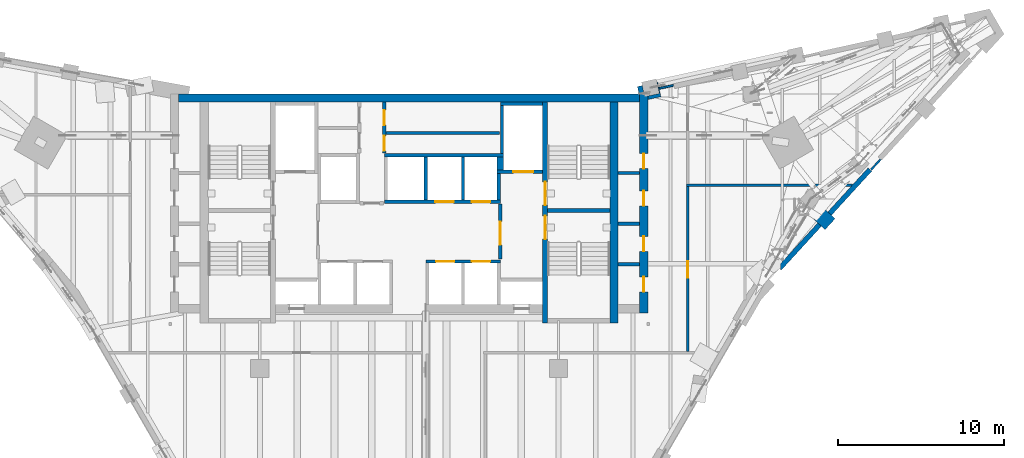
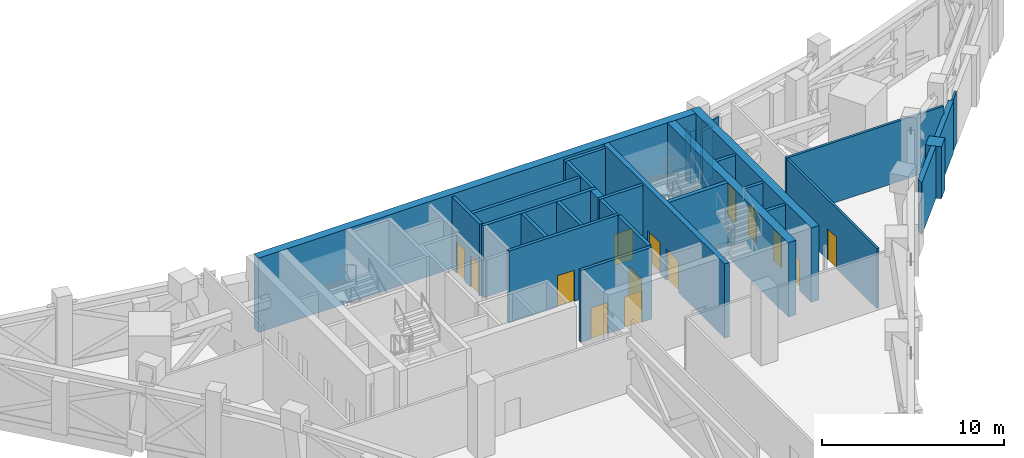
# One storey, part 12 of 23: 30 walls, 15 doors, 15 openings.
"""IFC4 building model written with IfcOpenShell, lengths in metres."""

import ifcopenshell
import ifcopenshell.guid

model = None  # the IFC model being written
_history = None  # IfcOwnerHistory: only IFC2X3 demands one
_inside = {}  # id of a spatial element -> (the spatial element, [elements in it])
_under = {}  # id of a project, library or spatial element -> (it, [spatial elements below it])
_declared = {}  # id of a project -> (the project, [libraries it declares])
_typed = {}  # id of a type object -> (the type object, [elements of that type])
_made_of = {}  # id of a material, layer set ... -> (it, [elements and type objects made of it])


def new_model(schema):
    """Start an empty IFC model of exactly this schema.

    Asked for "IFC4X3", IfcOpenShell would pick the latest addendum, in which some entities
    have other attributes; the version numbers below select the first issue.
    IFC2X3 requires an IfcOwnerHistory on every rooted entity: one is made here for all.
    """
    global model, _history
    if schema == "IFC4X3":
        model = ifcopenshell.file(schema_version=(4, 3, 0, 0))
    else:
        model = ifcopenshell.file(schema=schema)
    _inside.clear()
    _under.clear()
    _declared.clear()
    _typed.clear()
    _made_of.clear()
    _history = None
    if model.schema == "IFC2X3":
        org = make("IfcOrganization", Name="unknown")
        user = make(
            "IfcPersonAndOrganization",
            ThePerson=make("IfcPerson", FamilyName="unknown"),
            TheOrganization=org,
        )
        app = make(
            "IfcApplication",
            ApplicationDeveloper=org,
            Version="unknown",
            ApplicationFullName="unknown",
            ApplicationIdentifier="unknown",
        )
        _history = make(
            "IfcOwnerHistory",
            OwningUser=user,
            OwningApplication=app,
            ChangeAction="ADDED",
            CreationDate=0,
        )
    return model


def make(cls, **values):
    """One entity of the class cls with the attributes given. An attribute that is None is left unset."""
    return model.create_entity(
        cls, **{name: value for name, value in values.items() if value is not None}
    )


def rooted(cls, **values):
    """An entity with a GlobalId (a new one), such as an element, a storey or a relation."""
    return make(cls, GlobalId=ifcopenshell.guid.new(), OwnerHistory=_history, **values)


def si_unit(unit_type, name, prefix=None):
    """IfcSIUnit, for example si_unit("LENGTHUNIT", "METRE", prefix="MILLI")."""
    return make("IfcSIUnit", UnitType=unit_type, Prefix=prefix, Name=name)


def assignment(units):
    """IfcUnitAssignment: the units of a project."""
    return None if units is None else make("IfcUnitAssignment", Units=units)


def point(xyz):
    """IfcCartesianPoint."""
    return None if xyz is None else make("IfcCartesianPoint", Coordinates=xyz)


def direction(xyz):
    """IfcDirection."""
    return None if xyz is None else make("IfcDirection", DirectionRatios=xyz)


def frame(location, z_axis=None, x_axis=None):
    """IfcAxis2Placement3D, a coordinate frame: its origin and axes. An axis left out is left unset."""
    return make(
        "IfcAxis2Placement3D",
        Location=point(location),
        Axis=direction(z_axis),
        RefDirection=direction(x_axis),
    )


def frame_2d(location, x_axis=None):
    """IfcAxis2Placement2D, a coordinate frame in the plane: its origin and x axis."""
    return make(
        "IfcAxis2Placement2D", Location=point(location), RefDirection=direction(x_axis)
    )


def origin():
    """The frame at (0, 0, 0) with its axes left unset."""
    return frame((0.0, 0.0, 0.0))


def place(relative_to, where):
    """IfcLocalPlacement: puts the frame where relative to a parent placement (None: the world)."""
    return make(
        "IfcLocalPlacement", PlacementRelTo=relative_to, RelativePlacement=where
    )


def context(
    kind, dimensions, precision=None, world=None, true_north=None, identifier=None
):
    """IfcGeometricRepresentationContext, for example the 3D "Model" context."""
    return make(
        "IfcGeometricRepresentationContext",
        ContextIdentifier=identifier,
        ContextType=kind,
        CoordinateSpaceDimension=dimensions,
        Precision=precision,
        WorldCoordinateSystem=world,
        TrueNorth=true_north,
    )


def subcontext(parent, identifier, kind, view, scale=None):
    """IfcGeometricRepresentationSubContext, for example "Body" below "Model"."""
    return make(
        "IfcGeometricRepresentationSubContext",
        ContextIdentifier=identifier,
        ContextType=kind,
        ParentContext=parent,
        TargetScale=scale,
        TargetView=view,
    )


def project(units=None, contexts=None):
    """IfcProject with its units and contexts."""
    return rooted(
        "IfcProject",
        Name="project",
        RepresentationContexts=contexts,
        UnitsInContext=assignment(units),
    )


def spatial(cls, under=None, at=None, **own):
    """A site, building, storey or space (cls), placed at a placement, below another one or the project."""
    s = rooted(cls, ObjectPlacement=at, **own)
    if under is not None:
        _under.setdefault(under.id(), (under, []))[1].append(s)
    return s


def polyline(points):
    """IfcPolyline through the points."""
    return make("IfcPolyline", Points=[point(p) for p in points])


def profile(cls, at=None, kind="AREA", **sizes):
    """A parametric profile (cls). Its sizes go by their IFC names, for example OverallWidth=200.0."""
    return make(cls, ProfileType=kind, Position=at, **sizes)


def rectangle(**sizes):
    """IfcRectangleProfileDef."""
    return profile("IfcRectangleProfileDef", **sizes)


def outline(outer, holes=None, kind="AREA"):
    """IfcArbitraryClosedProfileDef: a profile drawn as a closed curve; with holes, ...WithVoids."""
    if holes is None:
        return make("IfcArbitraryClosedProfileDef", ProfileType=kind, OuterCurve=outer)
    return make(
        "IfcArbitraryProfileDefWithVoids",
        ProfileType=kind,
        OuterCurve=outer,
        InnerCurves=holes,
    )


def extrude(swept, where, along, depth):
    """IfcExtrudedAreaSolid: the profile swept, set in the frame where, extruded along a direction by depth."""
    return make(
        "IfcExtrudedAreaSolid",
        SweptArea=swept,
        Position=where,
        ExtrudedDirection=direction(along),
        Depth=depth,
    )


def shape(context_of_items, identifier, shape_type, items):
    """IfcShapeRepresentation: the items that make up one representation, for example the "Body"."""
    return make(
        "IfcShapeRepresentation",
        ContextOfItems=context_of_items,
        RepresentationIdentifier=identifier,
        RepresentationType=shape_type,
        Items=items,
    )


def material(Name=None, Category=None):
    """IfcMaterial."""
    return make("IfcMaterial", Name=Name, Category=Category)


def layer(
    of_material, thickness, ventilated=None, Name=None, Category=None, Priority=None
):
    """IfcMaterialLayer: one layer of a wall or slab, of a material (None: an air gap)."""
    return make(
        "IfcMaterialLayer",
        Material=of_material,
        LayerThickness=thickness,
        IsVentilated=ventilated,
        Name=Name,
        Category=Category,
        Priority=Priority,
    )


def layer_set(layers, Name=None):
    """IfcMaterialLayerSet."""
    return make("IfcMaterialLayerSet", MaterialLayers=layers, LayerSetName=Name)


def made_of(thing, what):
    """Note that an element or type object is made of a material, layer set ...; save() writes the relation."""
    if what is not None:
        _made_of.setdefault(what.id(), (what, []))[1].append(thing)
    return thing


def type_object(cls, material=None, **own):
    """A type object (cls), such as IfcWallType, which elements share."""
    return made_of(rooted(cls, **own), material)


def element(
    cls,
    number,
    at=None,
    inside=None,
    cuts=None,
    type_object=None,
    material=None,
    context=None,
    identifier="Body",
    shape_type=None,
    held_by="IfcProductDefinitionShape",
    body=None,
    shapes=None,
    **own,
):
    """One element of the class cls, such as IfcWall. Its Tag is "e" and its number.

    at: its placement. inside: the storey or other place that contains it. cuts: it is an
    opening in that element (IfcRelVoidsElement). A single representation is given by context,
    identifier, shape_type and body (its items); several are given by shapes. held_by: the class
    of the entity that holds the representations. save() writes the other relations.
    """
    e = rooted(cls, Tag="e%d" % number, ObjectPlacement=at, **own)
    if body is not None:
        shapes = [shape(context, identifier, shape_type, body)]
    if shapes is not None:
        e.Representation = make(held_by, Representations=shapes)
    if inside is not None:
        _inside.setdefault(inside.id(), (inside, []))[1].append(e)
    if cuts is not None:
        rooted(
            "IfcRelVoidsElement", RelatingBuildingElement=cuts, RelatedOpeningElement=e
        )
    if type_object is not None:
        _typed.setdefault(type_object.id(), (type_object, []))[1].append(e)
    return made_of(e, material)


def fill(opening, filler):
    """IfcRelFillsElement: the door or window that sits in an opening."""
    return rooted(
        "IfcRelFillsElement",
        RelatingOpeningElement=opening,
        RelatedBuildingElement=filler,
    )


def aggregate(whole, parts):
    """IfcRelAggregates: a whole, such as a stair, and the parts it consists of."""
    return rooted("IfcRelAggregates", RelatingObject=whole, RelatedObjects=parts)


def save(model, path):
    """Write the relations noted so far, then the file.

    IfcRelAggregates (storeys below a building ...), IfcRelContainedInSpatialStructure (elements
    in a storey), IfcRelDefinesByType, IfcRelAssociatesMaterial and IfcRelDeclares: one each for
    every whole, place, type object, material and project.
    """
    for whole, parts in _under.values():
        aggregate(whole, parts)
    for where, things in _inside.values():
        rooted(
            "IfcRelContainedInSpatialStructure",
            RelatedElements=things,
            RelatingStructure=where,
        )
    for kind, things in _typed.values():
        rooted("IfcRelDefinesByType", RelatedObjects=things, RelatingType=kind)
    for what, things in _made_of.values():
        rooted("IfcRelAssociatesMaterial", RelatedObjects=things, RelatingMaterial=what)
    for by, libraries in _declared.values():
        rooted("IfcRelDeclares", RelatingContext=by, RelatedDefinitions=libraries)
    model.write(path)


model = new_model("IFC4")

# Units and contexts
model_context = context("Model", 3, precision=1e-05, world=origin(), true_north=direction((0.0, 1.0)))
body_context = subcontext(model_context, "Body", "Model", "MODEL_VIEW")
ifc_project = project(units=[si_unit("LENGTHUNIT", "METRE"), si_unit("AREAUNIT", "SQUARE_METRE"), si_unit("VOLUMEUNIT", "CUBIC_METRE"), si_unit("PLANEANGLEUNIT", "RADIAN"), si_unit("MASSUNIT", "GRAM", prefix="KILO")], contexts=[model_context])

# Site, building, storey
site_placement = place(None, origin())
site = spatial("IfcSite", under=ifc_project, at=site_placement, CompositionType="ELEMENT")
building_placement = place(site_placement, origin())
building = spatial("IfcBuilding", under=site, at=building_placement, Name="Calabash Gate Tower", CompositionType="ELEMENT")
storey_placement = place(building_placement, frame((0.0, 0.0, 243.199951171875)))
storey = spatial("IfcBuildingStorey", under=building, at=storey_placement, Name="L58", CompositionType="ELEMENT", Elevation=243.199951171875)

# Walls
ifc_material_1 = material(Name="Terracotta brick masonry, exposed face", Category="masonry")
ifc_layer_1 = layer(ifc_material_1, 0.89990234375)
ifc_layer_set_1 = layer_set([ifc_layer_1], Name="Brick end wall 900")
wall_type_1 = type_object("IfcWallType", Name="Brick end wall 900", PredefinedType="SOLIDWALL", material=ifc_layer_set_1)
wall_1_placement = place(storey_placement, frame((24.740478515625, 11.17333984375, 0.0), z_axis=(0.0, 0.0, 1.0), x_axis=(0.674802966049, 0.737997938352, 0.0)))
element("IfcWall", 1, at=wall_1_placement, inside=storey, type_object=wall_type_1, Name="Brick pier L58 wedge3.1", PredefinedType="SOLIDWALL", context=body_context, shape_type="SweptSolid", body=[
    extrude(rectangle(XDim=0.900146484375, YDim=0.89990234375, at=frame_2d((0.4501953125, 0.0))), origin(), (0.0, 0.0, 1.0), 3.5),
])
wall_2_placement = place(storey_placement, origin())
element("IfcWall", 2, at=wall_2_placement, inside=storey, type_object=wall_type_1, Name="Brick end wall L58 4a", PredefinedType="SOLIDWALL", context=body_context, shape_type="SweptSolid", body=[
    extrude(outline(polyline([(14.39990234375, 18.711181640625), (15.178466796875, 18.883056640625), (14.984619140625, 19.761962890625), (14.931640625, 19.750244140625), (15.080322265625, 19.076416015625), (14.39990234375, 18.926513671875), (14.39990234375, 18.711181640625)])), origin(), (0.0, 0.0, 1.0), 3.5),
])
wall_3_placement = place(storey_placement, origin())
element("IfcWall", 3, at=wall_3_placement, inside=storey, type_object=wall_type_1, Name="Brick end wall L58 4b", PredefinedType="SOLIDWALL", context=body_context, shape_type="SweptSolid", body=[
    extrude(outline(polyline([(13.761474609375, 19.491943359375), (13.8583984375, 19.052490234375), (14.1640625, 19.052490234375), (14.052978515625, 19.556396484375), (13.761474609375, 19.491943359375)])), origin(), (0.0, 0.0, 1.0), 3.5),
])
ifc_material_2 = material(Name="Concrete C70/85", Category="concrete")
ifc_layer_2 = layer(ifc_material_2, 0.25)
ifc_layer_set_2 = layer_set([ifc_layer_2], Name="Core wall 250 Concrete C70/85")
wall_type_2 = type_object("IfcWallType", Name="Core wall 250 Concrete C70/85", PredefinedType="SHEAR", material=ifc_layer_set_2)
wall_4_placement = place(storey_placement, frame((8.35009765625, 12.027587890625, 0.0), z_axis=(0.0, 0.0, 1.0), x_axis=(1.0, 0.0, 0.0)))
element("IfcWall", 4, at=wall_4_placement, inside=storey, type_object=wall_type_2, Name="Core wall Z4-MIDE L58", PredefinedType="SHEAR", context=body_context, shape_type="SweptSolid", body=[
    extrude(rectangle(XDim=3.75, YDim=0.25, at=frame_2d((1.875, 0.0))), origin(), (0.0, 0.0, 1.0), 5.0),
])

# Wall, openings, doors
ifc_material_3 = material(Name="Concrete C70/85", Category="concrete")
ifc_layer_3 = layer(ifc_material_3, 0.300048828125)
ifc_layer_set_3 = layer_set([ifc_layer_3], Name="Core wall 300 Concrete C70/85")
wall_type_3 = type_object("IfcWallType", Name="Core wall 300 Concrete C70/85", PredefinedType="SHEAR", material=ifc_layer_set_3)
wall_5_placement = place(storey_placement, frame((8.199951171875, 5.252685546875, 0.0), z_axis=(0.0, 0.0, 1.0), x_axis=(0.0, 1.0, 0.0)))
wall_5 = element("IfcWall", 5, at=wall_5_placement, inside=storey, type_object=wall_type_3, Name="Core wall Z4-PARTE L58", PredefinedType="SHEAR", context=body_context, shape_type="SweptSolid", body=[
    extrude(rectangle(XDim=13.2998046875, YDim=0.300048828125, at=frame_2d((6.64990234375, 0.0))), origin(), (0.0, 0.0, 1.0), 5.0),
])
opening_1_placement = place(wall_5_placement, frame((7.10009765625, 0.0, 0.0)))
opening_1 = element("IfcOpeningElement", 6, at=opening_1_placement, cuts=wall_5, Name="Opening L58-003", PredefinedType="OPENING", context=body_context, shape_type="SweptSolid", body=[
    extrude(rectangle(XDim=1.39990234375, YDim=2.10009765625, at=frame_2d((0.699951171875, 1.050048828125))), frame((0.0, 0.159912109375, 0.0), z_axis=(0.0, -1.0, 0.0), x_axis=(1.0, 0.0, 0.0)), (0.0, 0.0, 1.0), 0.320068359375),
])
opening_2_placement = place(wall_5_placement, frame((5.050048828125, 0.0, 0.0)))
opening_2 = element("IfcOpeningElement", 7, at=opening_2_placement, cuts=wall_5, Name="Opening L58-004", PredefinedType="OPENING", context=body_context, shape_type="SweptSolid", body=[
    extrude(rectangle(XDim=1.39990234375, YDim=2.10009765625, at=frame_2d((0.699951171875, 1.050048828125))), frame((0.0, 0.159912109375, 0.0), z_axis=(0.0, -1.0, 0.0), x_axis=(1.0, 0.0, 0.0)), (0.0, 0.0, 1.0), 0.320068359375),
])
ifc_material_4 = material(Name="Steel fire door set with fire-resisting glazing", Category="steel")
door_type_1 = type_object("IfcDoorType", Name="Fire door D05 1400x2100 FD90", OperationType="NOTDEFINED", PredefinedType="DOOR", material=ifc_material_4)
door_1_placement = place(opening_1_placement, origin())
door_1 = element("IfcDoor", 8, at=door_1_placement, inside=storey, type_object=door_type_1, Name="Exit stair door ST3", OperationType="SINGLE_SWING_RIGHT", OverallHeight=2.10009765625, OverallWidth=1.39990234375, PredefinedType="DOOR", context=body_context, shape_type="SweptSolid", body=[
    extrude(rectangle(XDim=1.39990234375, YDim=2.10009765625, at=frame_2d((0.699951171875, 1.050048828125))), frame((0.0, 0.02490234375, 0.0), z_axis=(0.0, -1.0, 0.0), x_axis=(1.0, 0.0, 0.0)), (0.0, 0.0, 1.0), 0.050048828125),
])
fill(opening_1, door_1)
door_2_placement = place(opening_2_placement, origin())
door_2 = element("IfcDoor", 9, at=door_2_placement, inside=storey, type_object=door_type_1, Name="Exit stair door ST4", OperationType="SINGLE_SWING_LEFT", OverallHeight=2.10009765625, OverallWidth=1.39990234375, PredefinedType="DOOR", context=body_context, shape_type="SweptSolid", body=[
    extrude(rectangle(XDim=1.39990234375, YDim=2.10009765625, at=frame_2d((0.699951171875, 1.050048828125))), frame((0.0, 0.02490234375, 0.0), z_axis=(0.0, -1.0, 0.0), x_axis=(1.0, 0.0, 0.0)), (0.0, 0.0, 1.0), 0.050048828125),
])
fill(opening_2, door_2)

# Walls
ifc_material_5 = material(Name="Concrete C70/85", Category="concrete")
ifc_layer_4 = layer(ifc_material_5, 0.5)
ifc_layer_set_4 = layer_set([ifc_layer_4], Name="Core wall 500 Concrete C70/85")
wall_type_4 = type_object("IfcWallType", Name="Core wall 500 Concrete C70/85", PredefinedType="SHEAR", material=ifc_layer_set_4)
wall_6_placement = place(storey_placement, frame((-13.89990234375, 18.802490234375, 0.0), z_axis=(0.0, 0.0, 1.0), x_axis=(1.0, 0.0, 0.0)))
element("IfcWall", 10, at=wall_6_placement, inside=storey, type_object=wall_type_4, Name="Core wall Z4-N L58", PredefinedType="SHEAR", context=body_context, shape_type="SweptSolid", body=[
    extrude(rectangle(XDim=27.7998046875, YDim=0.5, at=frame_2d((13.89990234375, 0.0))), origin(), (0.0, 0.0, 1.0), 5.0),
])
wall_7_placement = place(storey_placement, frame((12.35009765625, 5.252685546875, 0.0), z_axis=(0.0, 0.0, 1.0), x_axis=(0.0, 1.0, 0.0)))
element("IfcWall", 11, at=wall_7_placement, inside=storey, type_object=wall_type_4, Name="Core wall Z4-COLE L58", PredefinedType="SHEAR", context=body_context, shape_type="SweptSolid", body=[
    extrude(rectangle(XDim=13.2998046875, YDim=0.5, at=frame_2d((6.64990234375, 0.0))), origin(), (0.0, 0.0, 1.0), 5.0),
])

# Wall, openings, doors
wall_8_placement = place(storey_placement, frame((14.14990234375, 5.8525390625, 0.0), z_axis=(0.0, 0.0, 1.0), x_axis=(0.0, 1.0, 0.0)))
wall_8 = element("IfcWall", 12, at=wall_8_placement, inside=storey, type_object=wall_type_4, Name="Core wall Z4-ENDE L58", PredefinedType="SHEAR", context=body_context, shape_type="SweptSolid", body=[
    extrude(rectangle(XDim=13.199951171875, YDim=0.5, at=frame_2d((6.60009765625, 0.0))), origin(), (0.0, 0.0, 1.0), 5.0),
])
opening_3_placement = place(wall_8_placement, frame((1.27001953125, 0.0, 0.0)))
opening_3 = element("IfcOpeningElement", 13, at=opening_3_placement, cuts=wall_8, Name="Opening L58-018", PredefinedType="OPENING", context=body_context, shape_type="SweptSolid", body=[
    extrude(rectangle(XDim=0.89990234375, YDim=2.10009765625, at=frame_2d((0.449951171875, 1.050048828125))), frame((0.0, 0.260009765625, 0.0), z_axis=(0.0, -1.0, 0.0), x_axis=(1.0, 0.0, 0.0)), (0.0, 0.0, 1.0), 0.52001953125),
])
opening_4_placement = place(wall_8_placement, frame((3.7099609375, 0.0, 0.0)))
opening_4 = element("IfcOpeningElement", 14, at=opening_4_placement, cuts=wall_8, Name="Opening L58-019", PredefinedType="OPENING", context=body_context, shape_type="SweptSolid", body=[
    extrude(rectangle(XDim=0.89990234375, YDim=2.10009765625, at=frame_2d((0.449951171875, 1.050048828125))), frame((0.0, 0.260009765625, 0.0), z_axis=(0.0, -1.0, 0.0), x_axis=(1.0, 0.0, 0.0)), (0.0, 0.0, 1.0), 0.52001953125),
])
opening_5_placement = place(wall_8_placement, frame((6.455078125, 0.0, 0.0)))
opening_5 = element("IfcOpeningElement", 15, at=opening_5_placement, cuts=wall_8, Name="Opening L58-020", PredefinedType="OPENING", context=body_context, shape_type="SweptSolid", body=[
    extrude(rectangle(XDim=0.89990234375, YDim=2.10009765625, at=frame_2d((0.449951171875, 1.050048828125))), frame((0.0, 0.260009765625, 0.0), z_axis=(0.0, -1.0, 0.0), x_axis=(1.0, 0.0, 0.0)), (0.0, 0.0, 1.0), 0.52001953125),
])
opening_6_placement = place(wall_8_placement, frame((8.697509765625, 0.0, 0.0)))
opening_6 = element("IfcOpeningElement", 16, at=opening_6_placement, cuts=wall_8, Name="Opening L58-021", PredefinedType="OPENING", context=body_context, shape_type="SweptSolid", body=[
    extrude(rectangle(XDim=0.89990234375, YDim=2.10009765625, at=frame_2d((0.449951171875, 1.050048828125))), frame((0.0, 0.260009765625, 0.0), z_axis=(0.0, -1.0, 0.0), x_axis=(1.0, 0.0, 0.0)), (0.0, 0.0, 1.0), 0.52001953125),
])
ifc_material_6 = material(Name="Steel fire door set with fire-resisting glazing", Category="steel")
door_type_2 = type_object("IfcDoorType", Name="Fire door D06 900x2100 FD60", OperationType="NOTDEFINED", PredefinedType="DOOR", material=ifc_material_6)
door_3_placement = place(opening_3_placement, origin())
door_3 = element("IfcDoor", 17, at=door_3_placement, inside=storey, type_object=door_type_2, Name="Electrical Riser door", OperationType="SINGLE_SWING_LEFT", OverallHeight=2.10009765625, OverallWidth=0.89990234375, PredefinedType="DOOR", context=body_context, shape_type="SweptSolid", body=[
    extrude(rectangle(XDim=0.89990234375, YDim=2.10009765625, at=frame_2d((0.449951171875, 1.050048828125))), frame((0.0, 0.02490234375, 0.0), z_axis=(0.0, -1.0, 0.0), x_axis=(1.0, 0.0, 0.0)), (0.0, 0.0, 1.0), 0.050048828125),
])
fill(opening_3, door_3)
door_4_placement = place(opening_4_placement, origin())
door_4 = element("IfcDoor", 18, at=door_4_placement, inside=storey, type_object=door_type_2, Name="Comms Riser door", OperationType="SINGLE_SWING_RIGHT", OverallHeight=2.10009765625, OverallWidth=0.89990234375, PredefinedType="DOOR", context=body_context, shape_type="SweptSolid", body=[
    extrude(rectangle(XDim=0.89990234375, YDim=2.10009765625, at=frame_2d((0.449951171875, 1.050048828125))), frame((0.0, 0.02490234375, 0.0), z_axis=(0.0, -1.0, 0.0), x_axis=(1.0, 0.0, 0.0)), (0.0, 0.0, 1.0), 0.050048828125),
])
fill(opening_4, door_4)
door_5_placement = place(opening_5_placement, origin())
door_5 = element("IfcDoor", 19, at=door_5_placement, inside=storey, type_object=door_type_2, Name="Cleaner's Store door", OperationType="SINGLE_SWING_LEFT", OverallHeight=2.10009765625, OverallWidth=0.89990234375, PredefinedType="DOOR", context=body_context, shape_type="SweptSolid", body=[
    extrude(rectangle(XDim=0.89990234375, YDim=2.10009765625, at=frame_2d((0.449951171875, 1.050048828125))), frame((0.0, 0.02490234375, 0.0), z_axis=(0.0, -1.0, 0.0), x_axis=(1.0, 0.0, 0.0)), (0.0, 0.0, 1.0), 0.050048828125),
])
fill(opening_5, door_5)
door_6_placement = place(opening_6_placement, origin())
door_6 = element("IfcDoor", 20, at=door_6_placement, inside=storey, type_object=door_type_2, Name="Duct Riser door", OperationType="SINGLE_SWING_LEFT", OverallHeight=2.10009765625, OverallWidth=0.89990234375, PredefinedType="DOOR", context=body_context, shape_type="SweptSolid", body=[
    extrude(rectangle(XDim=0.89990234375, YDim=2.10009765625, at=frame_2d((0.449951171875, 1.050048828125))), frame((0.0, 0.02490234375, 0.0), z_axis=(0.0, -1.0, 0.0), x_axis=(1.0, 0.0, 0.0)), (0.0, 0.0, 1.0), 0.050048828125),
])
fill(opening_6, door_6)

# Wall, opening, door
ifc_material_7 = material(Name="Gypsum board on steel studs, mineral wool", Category="steel")
ifc_layer_5 = layer(ifc_material_7, 0.14990234375)
ifc_layer_set_5 = layer_set([ifc_layer_5], Name="Partition 150 gypsum board")
wall_type_5 = type_object("IfcWallType", Name="Partition 150 gypsum board", PredefinedType="PARTITIONING", material=ifc_layer_set_5)
wall_9_placement = place(storey_placement, frame((16.800048828125, 3.527587890625, 0.0), z_axis=(0.0, 0.0, 1.0), x_axis=(0.0, 1.0, 0.0)))
wall_9 = element("IfcWall", 21, at=wall_9_placement, inside=storey, type_object=wall_type_5, Name="Partition", PredefinedType="PARTITIONING", context=body_context, shape_type="SweptSolid", body=[
    extrude(rectangle(XDim=9.9560546875, YDim=0.14990234375, at=frame_2d((4.97802734375, 0.0))), origin(), (0.0, 0.0, 1.0), 4.050048828125),
])
opening_7_placement = place(wall_9_placement, frame((4.430908203125, 0.0, 0.0)))
opening_7 = element("IfcOpeningElement", 22, at=opening_7_placement, cuts=wall_9, Name="Opening L58-025", PredefinedType="OPENING", context=body_context, shape_type="SweptSolid", body=[
    extrude(rectangle(XDim=1.0, YDim=2.10009765625, at=frame_2d((0.5, 1.050048828125))), frame((0.0, 0.0849609375, 0.0), z_axis=(0.0, -1.0, 0.0), x_axis=(1.0, 0.0, 0.0)), (0.0, 0.0, 1.0), 0.169921875),
])
ifc_material_8 = material(Name="Steel fire door set with fire-resisting glazing", Category="steel")
door_type_3 = type_object("IfcDoorType", Name="Fire door D11 1000x2100 FD60", OperationType="NOTDEFINED", PredefinedType="DOOR", material=ifc_material_8)
door_7_placement = place(opening_7_placement, origin())
door_7 = element("IfcDoor", 23, at=door_7_placement, inside=storey, type_object=door_type_3, Name="Pump Room door", OperationType="SINGLE_SWING_RIGHT", OverallHeight=2.10009765625, OverallWidth=1.0, PredefinedType="DOOR", context=body_context, shape_type="SweptSolid", body=[
    extrude(rectangle(XDim=1.0, YDim=2.10009765625, at=frame_2d((0.5, 1.050048828125))), frame((0.0, 0.02490234375, 0.0), z_axis=(0.0, -1.0, 0.0), x_axis=(1.0, 0.0, 0.0)), (0.0, 0.0, 1.0), 0.050048828125),
])
fill(opening_7, door_7)

# Walls
wall_10_placement = place(storey_placement, frame((16.72509765625, 13.55859375, 0.0), z_axis=(0.0, 0.0, 1.0), x_axis=(1.0, 0.0, 0.0)))
element("IfcWall", 24, at=wall_10_placement, inside=storey, type_object=wall_type_5, Name="Partition", PredefinedType="PARTITIONING", context=body_context, shape_type="SweptSolid", body=[
    extrude(rectangle(XDim=10.013427734375, YDim=0.14990234375, at=frame_2d((5.0068359375, 0.0))), origin(), (0.0, 0.0, 1.0), 4.073486328125),
])
ifc_material_9 = material(Name="Concrete C40/50", Category="concrete")
ifc_layer_6 = layer(ifc_material_9, 0.199951171875)
ifc_layer_set_6 = layer_set([ifc_layer_6], Name="Shaft wall 200 Concrete C40/50")
wall_type_6 = type_object("IfcWallType", Name="Shaft wall 200 Concrete C40/50", PredefinedType="SOLIDWALL", material=ifc_layer_set_6)
wall_11_placement = place(storey_placement, frame((12.60009765625, 8.79248046875, 0.0), z_axis=(0.0, 0.0, 1.0), x_axis=(1.0, 0.0, 0.0)))
element("IfcWall", 25, at=wall_11_placement, inside=storey, type_object=wall_type_6, Name="Shaft wall", PredefinedType="SOLIDWALL", context=body_context, shape_type="SweptSolid", body=[
    extrude(rectangle(XDim=1.2998046875, YDim=0.199951171875, at=frame_2d((0.64990234375, 0.0))), origin(), (0.0, 0.0, 1.0), 4.830078125),
])

# Wall, openings, doors
wall_12_placement = place(storey_placement, frame((1.0, 8.95263671875, 0.0), z_axis=(0.0, 0.0, 1.0), x_axis=(1.0, 0.0, 0.0)))
wall_12 = element("IfcWall", 26, at=wall_12_placement, inside=storey, type_object=wall_type_6, Name="Shaft wall", PredefinedType="SOLIDWALL", context=body_context, shape_type="SweptSolid", body=[
    extrude(rectangle(XDim=4.5, YDim=0.199951171875, at=frame_2d((2.25, 0.0))), origin(), (0.0, 0.0, 1.0), 4.830078125),
])
opening_8_placement = place(wall_12_placement, frame((0.625, 0.0, 0.0)))
opening_8 = element("IfcOpeningElement", 27, at=opening_8_placement, cuts=wall_12, Name="Opening LD-HR3", PredefinedType="OPENING", context=body_context, shape_type="SweptSolid", body=[
    extrude(rectangle(XDim=1.10009765625, YDim=2.10009765625, at=frame_2d((0.550048828125, 1.050048828125))), frame((0.0, 0.10986328125, 0.0), z_axis=(0.0, -1.0, 0.0), x_axis=(1.0, 0.0, 0.0)), (0.0, 0.0, 1.0), 0.219970703125),
])
opening_9_placement = place(wall_12_placement, frame((2.77490234375, 0.0, 0.0)))
opening_9 = element("IfcOpeningElement", 28, at=opening_9_placement, cuts=wall_12, Name="Opening LD-HR4", PredefinedType="OPENING", context=body_context, shape_type="SweptSolid", body=[
    extrude(rectangle(XDim=1.10009765625, YDim=2.10009765625, at=frame_2d((0.550048828125, 1.050048828125))), frame((0.0, 0.10986328125, 0.0), z_axis=(0.0, -1.0, 0.0), x_axis=(1.0, 0.0, 0.0)), (0.0, 0.0, 1.0), 0.219970703125),
])
ifc_material_10 = material(Name="Stainless steel sliding door leaves", Category="steel")
door_type_4 = type_object("IfcDoorType", Name="Lift landing door LS1 1100x2100 FD90", OperationType="DOUBLE_DOOR_SLIDING", PredefinedType="DOOR", material=ifc_material_10)
door_8_placement = place(opening_8_placement, origin())
door_8 = element("IfcDoor", 29, at=door_8_placement, inside=storey, type_object=door_type_4, Name="Lift landing door HR3", OperationType="DOUBLE_DOOR_SLIDING", OverallHeight=2.10009765625, OverallWidth=1.10009765625, PredefinedType="DOOR", context=body_context, shape_type="SweptSolid", body=[
    extrude(rectangle(XDim=1.10009765625, YDim=2.10009765625, at=frame_2d((0.550048828125, 1.050048828125))), frame((0.0, 0.02490234375, 0.0), z_axis=(0.0, -1.0, 0.0), x_axis=(1.0, 0.0, 0.0)), (0.0, 0.0, 1.0), 0.050048828125),
])
fill(opening_8, door_8)
door_9_placement = place(opening_9_placement, origin())
door_9 = element("IfcDoor", 30, at=door_9_placement, inside=storey, type_object=door_type_4, Name="Lift landing door HR4", OperationType="DOUBLE_DOOR_SLIDING", OverallHeight=2.10009765625, OverallWidth=1.10009765625, PredefinedType="DOOR", context=body_context, shape_type="SweptSolid", body=[
    extrude(rectangle(XDim=1.10009765625, YDim=2.10009765625, at=frame_2d((0.550048828125, 1.050048828125))), frame((0.0, 0.02490234375, 0.0), z_axis=(0.0, -1.0, 0.0), x_axis=(1.0, 0.0, 0.0)), (0.0, 0.0, 1.0), 0.050048828125),
])
fill(opening_9, door_9)

# Wall, opening, door
wall_13_placement = place(storey_placement, frame((5.5, 9.1025390625, 0.0), z_axis=(0.0, 0.0, 1.0), x_axis=(0.0, 1.0, 0.0)))
wall_13 = element("IfcWall", 31, at=wall_13_placement, inside=storey, type_object=wall_type_6, Name="Shaft wall", PredefinedType="SOLIDWALL", context=body_context, shape_type="SweptSolid", body=[
    extrude(rectangle(XDim=3.300048828125, YDim=0.199951171875, at=frame_2d((1.64990234375, 0.0))), origin(), (0.0, 0.0, 1.0), 4.830078125),
])
opening_10_placement = place(wall_13_placement, frame((0.85009765625, 0.0, 0.0)))
opening_10 = element("IfcOpeningElement", 32, at=opening_10_placement, cuts=wall_13, Name="Opening L58-007", PredefinedType="OPENING", context=body_context, shape_type="SweptSolid", body=[
    extrude(rectangle(XDim=1.39990234375, YDim=2.10009765625, at=frame_2d((0.699951171875, 1.050048828125))), frame((0.0, 0.10986328125, 0.0), z_axis=(0.0, -1.0, 0.0), x_axis=(1.0, 0.0, 0.0)), (0.0, 0.0, 1.0), 0.219970703125),
])
door_10_placement = place(opening_10_placement, origin())
door_10 = element("IfcDoor", 33, at=door_10_placement, inside=storey, type_object=door_type_1, Name="Firefighting Lobby E door", OperationType="SINGLE_SWING_LEFT", OverallHeight=2.10009765625, OverallWidth=1.39990234375, PredefinedType="DOOR", context=body_context, shape_type="SweptSolid", body=[
    extrude(rectangle(XDim=1.39990234375, YDim=2.10009765625, at=frame_2d((0.699951171875, 1.050048828125))), frame((0.0, 0.02490234375, 0.0), z_axis=(0.0, -1.0, 0.0), x_axis=(1.0, 0.0, 0.0)), (0.0, 0.0, 1.0), 0.050048828125),
])
fill(opening_10, door_10)

# Wall
wall_14_placement = place(storey_placement, frame((12.60009765625, 11.232666015625, 0.0), z_axis=(0.0, 0.0, 1.0), x_axis=(1.0, 0.0, 0.0)))
element("IfcWall", 34, at=wall_14_placement, inside=storey, type_object=wall_type_6, Name="Shaft wall", PredefinedType="SOLIDWALL", context=body_context, shape_type="SweptSolid", body=[
    extrude(rectangle(XDim=1.2998046875, YDim=0.199951171875, at=frame_2d((0.64990234375, 0.0))), origin(), (0.0, 0.0, 1.0), 4.830078125),
])

# Wall, openings, doors
wall_15_placement = place(storey_placement, frame((-1.5, 12.552490234375, 0.0), z_axis=(0.0, 0.0, 1.0), x_axis=(1.0, 0.0, 0.0)))
wall_15 = element("IfcWall", 35, at=wall_15_placement, inside=storey, type_object=wall_type_6, Name="Shaft wall", PredefinedType="SOLIDWALL", context=body_context, shape_type="SweptSolid", body=[
    extrude(rectangle(XDim=7.0, YDim=0.199951171875, at=frame_2d((3.5, 0.0))), origin(), (0.0, 0.0, 1.0), 4.830078125),
])
opening_11_placement = place(wall_15_placement, frame((3.074951171875, 0.0, 0.0)))
opening_11 = element("IfcOpeningElement", 36, at=opening_11_placement, cuts=wall_15, Name="Opening LD-HR5", PredefinedType="OPENING", context=body_context, shape_type="SweptSolid", body=[
    extrude(rectangle(XDim=1.10009765625, YDim=2.10009765625, at=frame_2d((0.550048828125, 1.050048828125))), frame((0.0, 0.10986328125, 0.0), z_axis=(0.0, -1.0, 0.0), x_axis=(1.0, 0.0, 0.0)), (0.0, 0.0, 1.0), 0.219970703125),
])
opening_12_placement = place(wall_15_placement, frame((5.27490234375, 0.0, 0.0)))
opening_12 = element("IfcOpeningElement", 37, at=opening_12_placement, cuts=wall_15, Name="Opening LD-HR6", PredefinedType="OPENING", context=body_context, shape_type="SweptSolid", body=[
    extrude(rectangle(XDim=1.10009765625, YDim=2.10009765625, at=frame_2d((0.550048828125, 1.050048828125))), frame((0.0, 0.10986328125, 0.0), z_axis=(0.0, -1.0, 0.0), x_axis=(1.0, 0.0, 0.0)), (0.0, 0.0, 1.0), 0.219970703125),
])
door_11_placement = place(opening_11_placement, origin())
door_11 = element("IfcDoor", 38, at=door_11_placement, inside=storey, type_object=door_type_4, Name="Lift landing door HR5", OperationType="DOUBLE_DOOR_SLIDING", OverallHeight=2.10009765625, OverallWidth=1.10009765625, PredefinedType="DOOR", context=body_context, shape_type="SweptSolid", body=[
    extrude(rectangle(XDim=1.10009765625, YDim=2.10009765625, at=frame_2d((0.550048828125, 1.050048828125))), frame((0.0, 0.02490234375, 0.0), z_axis=(0.0, -1.0, 0.0), x_axis=(1.0, 0.0, 0.0)), (0.0, 0.0, 1.0), 0.050048828125),
])
fill(opening_11, door_11)
door_12_placement = place(opening_12_placement, origin())
door_12 = element("IfcDoor", 39, at=door_12_placement, inside=storey, type_object=door_type_4, Name="Lift landing door HR6", OperationType="DOUBLE_DOOR_SLIDING", OverallHeight=2.10009765625, OverallWidth=1.10009765625, PredefinedType="DOOR", context=body_context, shape_type="SweptSolid", body=[
    extrude(rectangle(XDim=1.10009765625, YDim=2.10009765625, at=frame_2d((0.550048828125, 1.050048828125))), frame((0.0, 0.02490234375, 0.0), z_axis=(0.0, -1.0, 0.0), x_axis=(1.0, 0.0, 0.0)), (0.0, 0.0, 1.0), 0.050048828125),
])
fill(opening_12, door_12)

# Walls
for number, where, z_axis, x_axis, name in (
    (40, (1.0, 12.652587890625, 0.0), (0.0, 0.0, 1.0), (0.0, 1.0, 0.0), "Shaft wall"),
    (41, (3.25, 12.652587890625, 0.0), (0.0, 0.0, 1.0), (0.0, 1.0, 0.0), "Shaft wall"),
):
    element("IfcWall", number, at=place(storey_placement, frame(where, z_axis=z_axis, x_axis=x_axis)), inside=storey, type_object=wall_type_6, Name=name, PredefinedType="SOLIDWALL", context=body_context, shape_type="SweptSolid", body=[
        extrude(rectangle(XDim=2.60009765625, YDim=0.199951171875, at=frame_2d((1.300048828125, 0.0))), origin(), (0.0, 0.0, 1.0), 4.830078125),
    ])
wall_16_placement = place(storey_placement, frame((5.39990234375, 12.652587890625, 0.0), z_axis=(0.0, 0.0, 1.0), x_axis=(0.0, 1.0, 0.0)))
element("IfcWall", 42, at=wall_16_placement, inside=storey, type_object=wall_type_6, Name="Shaft wall", PredefinedType="SOLIDWALL", context=body_context, shape_type="SweptSolid", body=[
    extrude(rectangle(XDim=1.60009765625, YDim=0.199951171875, at=frame_2d((0.800048828125, 0.0))), origin(), (0.0, 0.0, 1.0), 4.830078125),
])
wall_17_placement = place(storey_placement, frame((12.60009765625, 14.28271484375, 0.0), z_axis=(0.0, 0.0, 1.0), x_axis=(1.0, 0.0, 0.0)))
element("IfcWall", 43, at=wall_17_placement, inside=storey, type_object=wall_type_6, Name="Shaft wall", PredefinedType="SOLIDWALL", context=body_context, shape_type="SweptSolid", body=[
    extrude(rectangle(XDim=1.2998046875, YDim=0.199951171875, at=frame_2d((0.64990234375, 0.0))), origin(), (0.0, 0.0, 1.0), 4.830078125),
])

# Wall, opening, door
wall_18_placement = place(storey_placement, frame((5.300048828125, 14.3525390625, 0.0), z_axis=(0.0, 0.0, 1.0), x_axis=(1.0, 0.0, 0.0)))
wall_18 = element("IfcWall", 44, at=wall_18_placement, inside=storey, type_object=wall_type_6, Name="Shaft wall", PredefinedType="SOLIDWALL", context=body_context, shape_type="SweptSolid", body=[
    extrude(rectangle(XDim=2.75, YDim=0.199951171875, at=frame_2d((1.375, 0.0))), origin(), (0.0, 0.0, 1.0), 4.830078125),
])
opening_13_placement = place(wall_18_placement, frame((0.97509765625, 0.0, 0.0)))
opening_13 = element("IfcOpeningElement", 45, at=opening_13_placement, cuts=wall_18, Name="Opening LD-FF2", PredefinedType="OPENING", context=body_context, shape_type="SweptSolid", body=[
    extrude(rectangle(XDim=1.199951171875, YDim=2.10009765625, at=frame_2d((0.60009765625, 1.050048828125))), frame((0.0, 0.10986328125, 0.0), z_axis=(0.0, -1.0, 0.0), x_axis=(1.0, 0.0, 0.0)), (0.0, 0.0, 1.0), 0.219970703125),
])
ifc_material_11 = material(Name="Stainless steel sliding door leaves", Category="steel")
door_type_5 = type_object("IfcDoorType", Name="Lift landing door LS3 1200x2100 FD90", OperationType="DOUBLE_DOOR_SLIDING", PredefinedType="DOOR", material=ifc_material_11)
door_13_placement = place(opening_13_placement, origin())
door_13 = element("IfcDoor", 46, at=door_13_placement, inside=storey, type_object=door_type_5, Name="Lift landing door FF2", OperationType="DOUBLE_DOOR_SLIDING", OverallHeight=2.10009765625, OverallWidth=1.199951171875, PredefinedType="DOOR", context=body_context, shape_type="SweptSolid", body=[
    extrude(rectangle(XDim=1.199951171875, YDim=2.10009765625, at=frame_2d((0.60009765625, 1.050048828125))), frame((0.0, 0.02490234375, 0.0), z_axis=(0.0, -1.0, 0.0), x_axis=(1.0, 0.0, 0.0)), (0.0, 0.0, 1.0), 0.050048828125),
])
fill(opening_13, door_13)

# Walls
wall_19_placement = place(storey_placement, frame((5.5, 14.45263671875, 0.0), z_axis=(0.0, 0.0, 1.0), x_axis=(0.0, 1.0, 0.0)))
element("IfcWall", 47, at=wall_19_placement, inside=storey, type_object=wall_type_6, Name="Shaft wall", PredefinedType="SOLIDWALL", context=body_context, shape_type="SweptSolid", body=[
    extrude(rectangle(XDim=0.800048828125, YDim=0.39990234375, at=frame_2d((0.39990234375, 0.0))), origin(), (0.0, 0.0, 1.0), 4.830078125),
])
wall_20_placement = place(storey_placement, frame((-1.5, 15.3525390625, 0.0), z_axis=(0.0, 0.0, 1.0), x_axis=(1.0, 0.0, 0.0)))
element("IfcWall", 48, at=wall_20_placement, inside=storey, type_object=wall_type_6, Name="Shaft wall", PredefinedType="SOLIDWALL", context=body_context, shape_type="SweptSolid", body=[
    extrude(rectangle(XDim=7.199951171875, YDim=0.199951171875, at=frame_2d((3.60009765625, 0.0))), origin(), (0.0, 0.0, 1.0), 4.830078125),
])
wall_21_placement = place(storey_placement, frame((5.60009765625, 15.45263671875, 0.0), z_axis=(0.0, 0.0, 1.0), x_axis=(0.0, 1.0, 0.0)))
element("IfcWall", 49, at=wall_21_placement, inside=storey, type_object=wall_type_6, Name="Shaft wall", PredefinedType="SOLIDWALL", context=body_context, shape_type="SweptSolid", body=[
    extrude(rectangle(XDim=2.89990234375, YDim=0.199951171875, at=frame_2d((1.449951171875, 0.0))), origin(), (0.0, 0.0, 1.0), 4.830078125),
])

# Wall, openings, doors
wall_22_placement = place(storey_placement, frame((-1.5, 15.502685546875, 0.0), z_axis=(0.0, 0.0, 1.0), x_axis=(0.0, 1.0, 0.0)))
wall_22 = element("IfcWall", 50, at=wall_22_placement, inside=storey, type_object=wall_type_6, Name="Shaft wall", PredefinedType="SOLIDWALL", context=body_context, shape_type="SweptSolid", body=[
    extrude(rectangle(XDim=3.0498046875, YDim=0.199951171875, at=frame_2d((1.52490234375, 0.0))), origin(), (0.0, 0.0, 1.0), 4.830078125),
])
opening_14_placement = place(wall_22_placement, frame((0.1201171875, 0.0, 0.0)))
opening_14 = element("IfcOpeningElement", 51, at=opening_14_placement, cuts=wall_22, Name="Opening L58-010", PredefinedType="OPENING", context=body_context, shape_type="SweptSolid", body=[
    extrude(rectangle(XDim=0.89990234375, YDim=2.10009765625, at=frame_2d((0.449951171875, 1.050048828125))), frame((0.0, 0.10986328125, 0.0), z_axis=(0.0, -1.0, 0.0), x_axis=(1.0, 0.0, 0.0)), (0.0, 0.0, 1.0), 0.219970703125),
])
opening_15_placement = place(wall_22_placement, frame((1.669921875, 0.0, 0.0)))
opening_15 = element("IfcOpeningElement", 52, at=opening_15_placement, cuts=wall_22, Name="Opening L58-011", PredefinedType="OPENING", context=body_context, shape_type="SweptSolid", body=[
    extrude(rectangle(XDim=0.89990234375, YDim=2.10009765625, at=frame_2d((0.449951171875, 1.050048828125))), frame((0.0, 0.10986328125, 0.0), z_axis=(0.0, -1.0, 0.0), x_axis=(1.0, 0.0, 0.0)), (0.0, 0.0, 1.0), 0.219970703125),
])
door_14_placement = place(opening_14_placement, origin())
door_14 = element("IfcDoor", 53, at=door_14_placement, inside=storey, type_object=door_type_2, Name="Smoke Extract Plant door", OperationType="SINGLE_SWING_LEFT", OverallHeight=2.10009765625, OverallWidth=0.89990234375, PredefinedType="DOOR", context=body_context, shape_type="SweptSolid", body=[
    extrude(rectangle(XDim=0.89990234375, YDim=2.10009765625, at=frame_2d((0.449951171875, 1.050048828125))), frame((0.0, 0.02490234375, 0.0), z_axis=(0.0, -1.0, 0.0), x_axis=(1.0, 0.0, 0.0)), (0.0, 0.0, 1.0), 0.050048828125),
])
fill(opening_14, door_14)
door_15_placement = place(opening_15_placement, origin())
door_15 = element("IfcDoor", 54, at=door_15_placement, inside=storey, type_object=door_type_2, Name="Emergency Generator Room door", OperationType="SINGLE_SWING_LEFT", OverallHeight=2.10009765625, OverallWidth=0.89990234375, PredefinedType="DOOR", context=body_context, shape_type="SweptSolid", body=[
    extrude(rectangle(XDim=0.89990234375, YDim=2.10009765625, at=frame_2d((0.449951171875, 1.050048828125))), frame((0.0, 0.02490234375, 0.0), z_axis=(0.0, -1.0, 0.0), x_axis=(1.0, 0.0, 0.0)), (0.0, 0.0, 1.0), 0.050048828125),
])
fill(opening_15, door_15)

# Walls
wall_23_placement = place(storey_placement, frame((-1.39990234375, 16.692626953125, 0.0), z_axis=(0.0, 0.0, 1.0), x_axis=(1.0, 0.0, 0.0)))
element("IfcWall", 55, at=wall_23_placement, inside=storey, type_object=wall_type_6, Name="Shaft wall", PredefinedType="SOLIDWALL", context=body_context, shape_type="SweptSolid", body=[
    extrude(rectangle(XDim=6.849853515625, YDim=0.199951171875, at=frame_2d((3.4248046875, 0.0))), origin(), (0.0, 0.0, 1.0), 4.830078125),
])
wall_24_placement = place(storey_placement, frame((5.5, 18.45263671875, 0.0), z_axis=(0.0, 0.0, 1.0), x_axis=(1.0, 0.0, 0.0)))
element("IfcWall", 56, at=wall_24_placement, inside=storey, type_object=wall_type_6, Name="Shaft wall", PredefinedType="SOLIDWALL", context=body_context, shape_type="SweptSolid", body=[
    extrude(rectangle(XDim=2.550048828125, YDim=0.199951171875, at=frame_2d((1.27490234375, 0.0))), origin(), (0.0, 0.0, 1.0), 4.830078125),
])
ifc_material_12 = material(Name="Terracotta brick masonry, perforated", Category="masonry")
ifc_layer_7 = layer(ifc_material_12, 0.1201171875)
ifc_layer_set_7 = layer_set([ifc_layer_7], Name="Terracotta jaali cladding A 120")
wall_type_7 = type_object("IfcWallType", Name="Terracotta jaali cladding A 120", PredefinedType="SOLIDWALL", material=ifc_layer_set_7)
wall_25_placement = place(storey_placement, frame((27.840087890625, 14.473876953125, 0.0), z_axis=(0.0, 0.0, 1.0), x_axis=(0.674922296678, 0.737888808322, 0.0)))
element("IfcWall", 57, at=wall_25_placement, inside=storey, type_object=wall_type_7, Name="Jaali cladding L58 wedge3.c2", PredefinedType="SOLIDWALL", context=body_context, shape_type="SweptSolid", body=[
    extrude(rectangle(XDim=0.868408203125, YDim=0.1201171875, at=frame_2d((0.43408203125, 0.0))), origin(), (0.0, 0.0, 1.0), 3.5),
])
wall_26_placement = place(storey_placement, frame((15.9208984375, 19.569091796875, 0.0), z_axis=(0.0, 0.0, 1.0), x_axis=(-0.976496818428, -0.215531815751, 0.0)))
element("IfcWall", 58, at=wall_26_placement, inside=storey, type_object=wall_type_7, Name="Jaali cladding L58 wedge5.c6", PredefinedType="SOLIDWALL", context=body_context, shape_type="SweptSolid", body=[
    extrude(rectangle(XDim=0.868896484375, YDim=0.1201171875, at=frame_2d((0.4345703125, 0.0))), origin(), (0.0, 0.0, 1.0), 3.5),
])
ifc_material_13 = material(Name="Terracotta louvre blades in an aluminium frame", Category="masonry")
ifc_layer_8 = layer(ifc_material_13, 0.300048828125)
ifc_layer_set_8 = layer_set([ifc_layer_8], Name="Terracotta louvre wall 300")
wall_type_8 = type_object("IfcWallType", Name="Terracotta louvre wall 300", PredefinedType="ELEMENTEDWALL", material=ifc_layer_set_8)
wall_27_placement = place(storey_placement, origin())
element("IfcWall", 59, at=wall_27_placement, inside=storey, type_object=wall_type_8, Name="LOUVRE L58 wedge3.1", PredefinedType="ELEMENTEDWALL", context=body_context, shape_type="SweptSolid", body=[
    extrude(outline(polyline([(24.6298828125, 11.274658203125), (22.39599609375, 8.831787109375), (22.39599609375, 8.43896484375), (22.421875, 8.41552734375), (24.851318359375, 11.072265625), (24.6298828125, 11.274658203125)])), origin(), (0.0, 0.0, 1.0), 3.5),
])
wall_28_placement = place(storey_placement, frame((25.347900390625, 11.837646484375, 0.0), z_axis=(0.0, 0.0, 1.0), x_axis=(0.674867348758, 0.737939063595, 0.0)))
element("IfcWall", 60, at=wall_28_placement, inside=storey, type_object=wall_type_8, Name="LOUVRE L58 wedge3.2", PredefinedType="ELEMENTEDWALL", context=body_context, shape_type="SweptSolid", body=[
    extrude(rectangle(XDim=3.599853515625, YDim=0.300048828125, at=frame_2d((1.7998046875, 0.0))), origin(), (0.0, 0.0, 1.0), 3.5),
])

save(model, "model.ifc")
